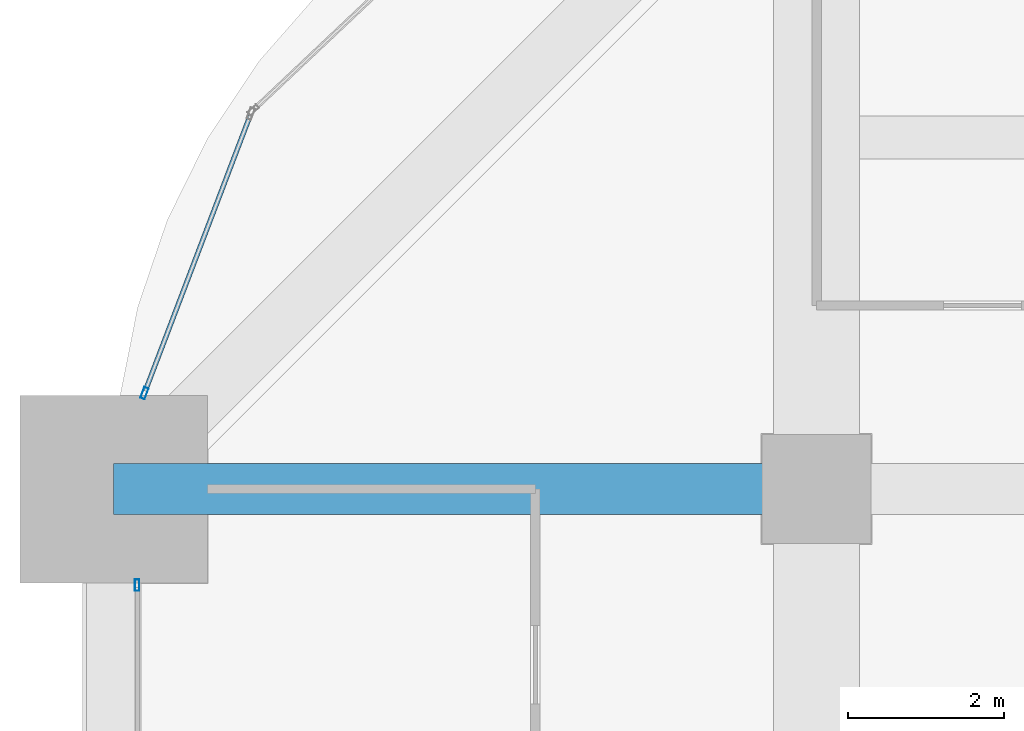
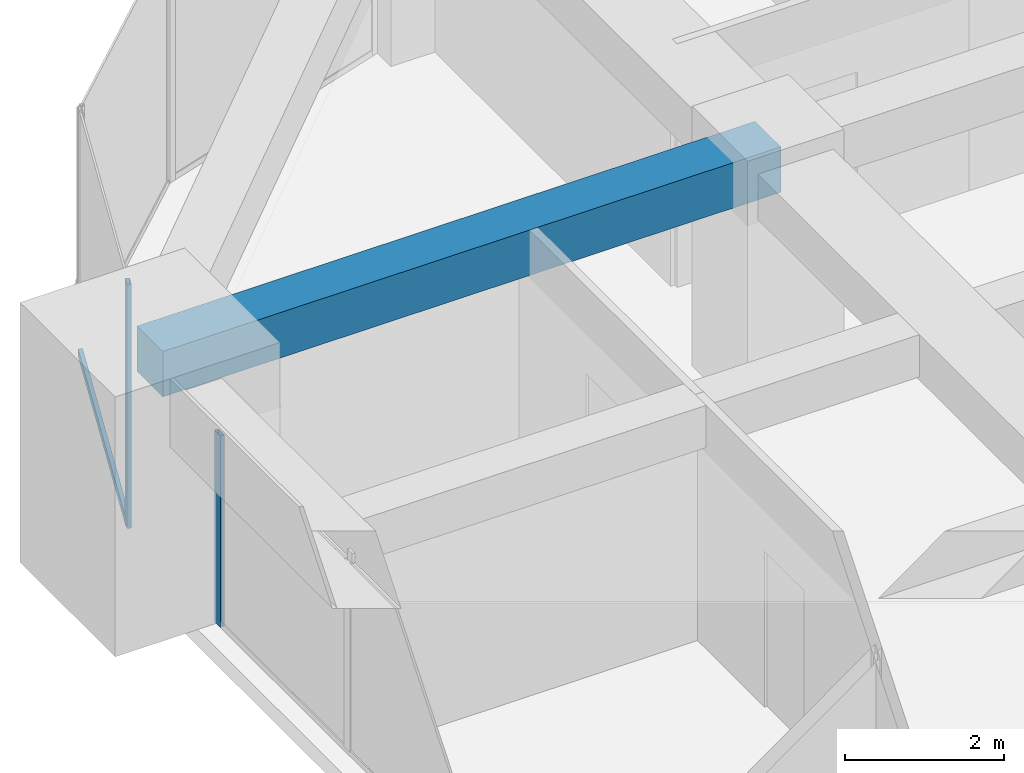
# One storey, part 20 of 34: 3 members, 1 beam, 2 elements without a shape of their own.
"""IFC4 building model written with IfcOpenShell, lengths in metres."""

from ifc_helpers import new_model, si_unit, direction, frame, origin, origin_2d, place, context, subcontext, project, spatial, rectangle, hollow_rectangle, extrude, material, material_profile, profile_set, type_object, element, aggregate, save


model = new_model("IFC4")

# Units and contexts
model_context = context("Model", 3, precision=1e-05, world=origin(), true_north=direction((0.0, 1.0)))
body_context = subcontext(model_context, "Body", "Model", "MODEL_VIEW")
ifc_project = project(units=[si_unit("LENGTHUNIT", "METRE"), si_unit("AREAUNIT", "SQUARE_METRE"), si_unit("VOLUMEUNIT", "CUBIC_METRE"), si_unit("PLANEANGLEUNIT", "RADIAN"), si_unit("MASSUNIT", "GRAM", prefix="KILO")], contexts=[model_context])

# Site, building, storey
site_placement = place(None, origin())
site = spatial("IfcSite", under=ifc_project, at=site_placement, CompositionType="ELEMENT")
building_placement = place(site_placement, origin())
building = spatial("IfcBuilding", under=site, at=building_placement, Name="Zorevar Civic Tower", CompositionType="ELEMENT")
storey_placement = place(building_placement, frame((0.0, 0.0, 214.199951171875)))
storey = spatial("IfcBuildingStorey", under=building, at=storey_placement, Name="L52", CompositionType="ELEMENT", Elevation=214.199951171875)

# Beam
ifc_material_1 = material(Name="Concrete C50/60", Category="concrete")
ifc_material_profile_1 = material_profile(ifc_material_1, rectangle(XDim=0.64990234375, YDim=0.699951171875, at=origin_2d()), Name="RC 650x700")
ifc_profile_set_1 = profile_set([ifc_material_profile_1], Name="Concrete C50/60")
beam_type = type_object("IfcBeamType", Name="Beam RC 650x700", PredefinedType="BEAM", material=ifc_profile_set_1)
beam_placement = place(storey_placement, frame((0.0, 36.0, 3.400146484375), z_axis=(1.0, 0.0, 0.0), x_axis=(0.0, 1.0, 0.0)))
element("IfcBeam", 1, at=beam_placement, inside=storey, type_object=beam_type, Name="Girder L53", PredefinedType="BEAM", context=body_context, shape_type="SweptSolid", body=[
    extrude(rectangle(XDim=0.64990234375, YDim=0.699951171875, at=origin_2d()), origin(), (0.0, 0.0, 1.0), 9.0),
])

# Curtain wall, member
ifc_material_2 = material(Name="Dark grey solar-control glass in black aluminium frame", Category="aluminium")
curtain_wall_type = type_object("IfcCurtainWallType", Name="Curtain wall CW4 high zone", PredefinedType="NOTDEFINED", material=ifc_material_2)
curtain_wall_1_placement = place(storey_placement, origin())
curtain_wall_1 = element("IfcCurtainWall", 2, at=curtain_wall_1_placement, inside=storey, type_object=curtain_wall_type, Name="CW4 L52", PredefinedType="NOTDEFINED")
ifc_material_3 = material(Name="Aluminium, black anodised", Category="aluminium")
ifc_material_profile_2 = material_profile(ifc_material_3, hollow_rectangle(XDim=0.06005859375, YDim=0.14990234375, WallThickness=0.00390625, at=origin_2d()), Name="AL 150x60x4")
ifc_profile_set_2 = profile_set([ifc_material_profile_2], Name="Aluminium, black anodised")
member_type_1 = type_object("IfcMemberType", Name="CW4 mullion AL 150x60x4", PredefinedType="MULLION", material=ifc_profile_set_2)
member_1_placement = place(storey_placement, frame((0.300048828125, 34.77001953125, 0.0), z_axis=(0.0, 0.0, 1.0), x_axis=(-1.0, 0.0, 0.0)))
member_1 = element("IfcMember", 3, at=member_1_placement, type_object=member_type_1, Name="CW4 mullion 3", PredefinedType="MULLION", context=body_context, shape_type="SweptSolid", body=[
    extrude(hollow_rectangle(XDim=0.06005859375, YDim=0.14990234375, WallThickness=0.00390625, at=origin_2d()), origin(), (0.0, 0.0, 1.0), 2.949951171875),
])
aggregate(curtain_wall_1, [member_1])

# Curtain wall, members
curtain_wall_2_placement = place(storey_placement, origin())
curtain_wall_2 = element("IfcCurtainWall", 4, at=curtain_wall_2_placement, inside=storey, type_object=curtain_wall_type, Name="CW4 L52", PredefinedType="NOTDEFINED")
member_2_placement = place(storey_placement, frame((0.393798828125, 37.22802734375, 0.0), z_axis=(0.0, 0.0, 1.0), x_axis=(0.93458842801, -0.355730895803, 0.0)))
member_2 = element("IfcMember", 5, at=member_2_placement, type_object=member_type_1, Name="CW4 mullion 2", PredefinedType="MULLION", context=body_context, shape_type="SweptSolid", body=[
    extrude(hollow_rectangle(XDim=0.06005859375, YDim=0.14990234375, WallThickness=0.00390625, at=origin_2d()), origin(), (0.0, 0.0, 1.0), 3.75),
])
ifc_material_4 = material(Name="Aluminium, black anodised", Category="aluminium")
ifc_material_profile_3 = material_profile(ifc_material_4, hollow_rectangle(XDim=0.06005859375, YDim=0.1201171875, WallThickness=0.0029296875, at=origin_2d()), Name="AL 120x60x3")
ifc_profile_set_3 = profile_set([ifc_material_profile_3], Name="Aluminium, black anodised")
member_type_2 = type_object("IfcMemberType", Name="CW4 transom AL 120x60x3", PredefinedType="USERDEFINED", material=ifc_profile_set_3)
member_3_placement = place(storey_placement, frame((1.74462890625, 40.77685546875, 0.030029296875), z_axis=(-0.355728511406, -0.934589335576, 0.0), x_axis=(0.934589335576, -0.355728511406, 0.0)))
member_3 = element("IfcMember", 6, at=member_3_placement, type_object=member_type_2, Name="CW4 sill transom", ObjectType="TRANSOM", PredefinedType="USERDEFINED", context=body_context, shape_type="SweptSolid", body=[
    extrude(hollow_rectangle(XDim=0.06005859375, YDim=0.1201171875, WallThickness=0.0029296875, at=origin_2d()), origin(), (0.0, 0.0, 1.0), 3.76708984375),
])
aggregate(curtain_wall_2, [member_2, member_3])

save(model, "model.ifc")
